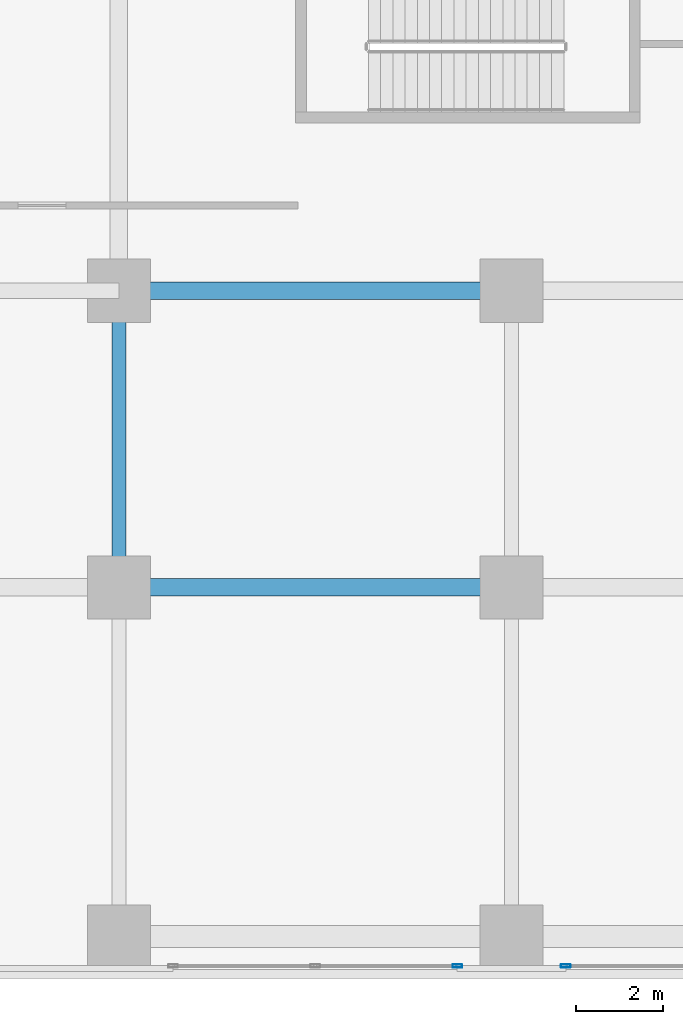
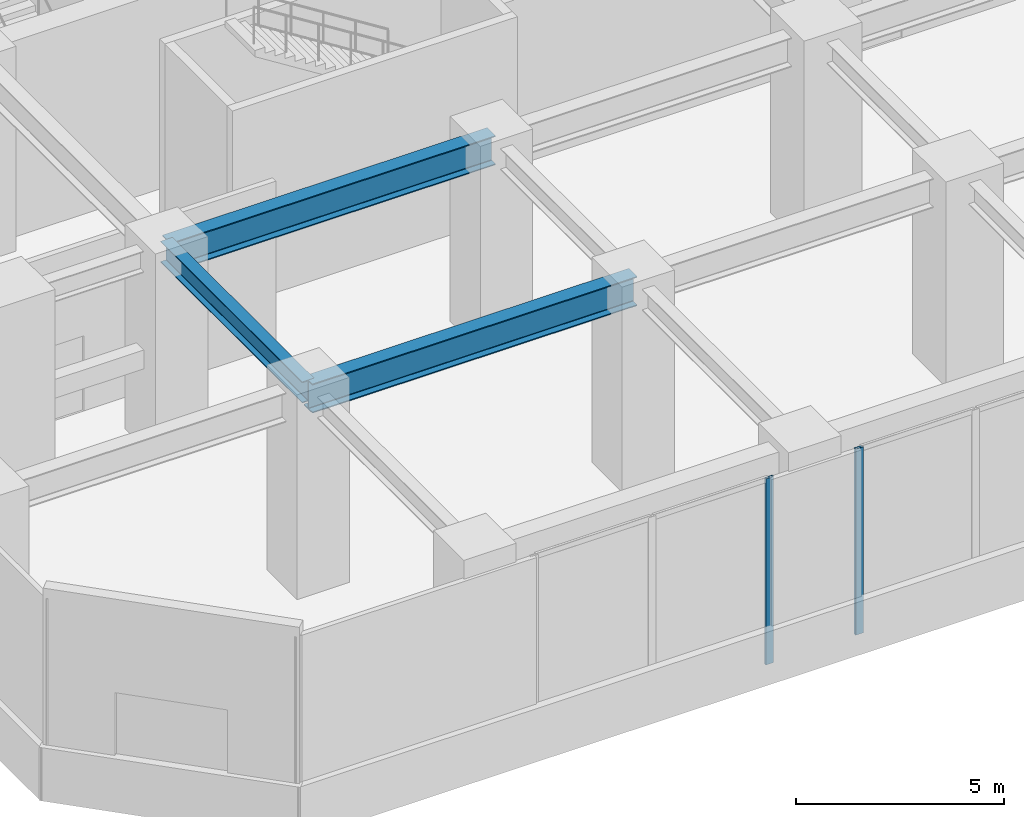
# One storey, part 4 of 34: 3 beams, 2 members, 2 elements without a shape of their own.
"""IFC4 building model written with IfcOpenShell, lengths in metres."""

from ifc_helpers import new_model, si_unit, direction, frame, origin, origin_2d, place, context, subcontext, project, spatial, hollow_rectangle, i_section, extrude, source, transform, mapped, material, material_profile, profile_set, type_object, element, aggregate, save


model = new_model("IFC4")

# Units and contexts
model_context = context("Model", 3, precision=1e-05, world=origin(), true_north=direction((0.0, 1.0)))
body_context = subcontext(model_context, "Body", "Model", "MODEL_VIEW")
ifc_project = project(units=[si_unit("LENGTHUNIT", "METRE"), si_unit("AREAUNIT", "SQUARE_METRE"), si_unit("VOLUMEUNIT", "CUBIC_METRE"), si_unit("PLANEANGLEUNIT", "RADIAN"), si_unit("MASSUNIT", "GRAM", prefix="KILO")], contexts=[model_context])

# Site, building, storey
site_placement = place(None, origin())
site = spatial("IfcSite", under=ifc_project, at=site_placement, CompositionType="ELEMENT")
building_placement = place(site_placement, origin())
building = spatial("IfcBuilding", under=site, at=building_placement, Name="Torre Montelarca", CompositionType="ELEMENT")
storey_placement = place(building_placement, frame((0.0, 0.0, 6.0)))
storey = spatial("IfcBuildingStorey", under=building, at=storey_placement, Name="L02", CompositionType="ELEMENT", Elevation=6.0)

# Beams
ifc_material_1 = material(Name="Steel ASTM A992 Grade 50", Category="steel")
ifc_material_profile_1 = material_profile(ifc_material_1, i_section(OverallWidth=0.39990234375, OverallDepth=0.85498046875, WebThickness=0.018310546875, FlangeThickness=0.029296875, FilletRadius=0.02001953125, at=origin_2d()), Name="W840X299", Category="steel")
ifc_profile_set_1 = profile_set([ifc_material_profile_1], Name="Steel ASTM A992 Grade 50")
beam_type_1 = type_object("IfcBeamType", Name="BM-G-W840", PredefinedType="BEAM", material=ifc_profile_set_1)
shared_shape_1 = source(origin(), body_context, "Body", "SweptSolid", [
    extrude(i_section(OverallWidth=0.39990234375, OverallDepth=0.85498046875, WebThickness=0.018310546875, FlangeThickness=0.029296875, FilletRadius=0.02001953125, at=origin_2d()), origin(), (0.0, 0.0, 1.0), 9.0),
])
for number, where, z_axis, x_axis, name in (
    (1, (9.0, 8.0, 5.31201171875), (1.0, 0.0, 0.0), (0.0, 1.0, 0.0), "L02 Grid Girder X 9.0-18.0 at Y=8.0"),
    (2, (9.0, 14.800048828125, 5.31201171875), (1.0, 0.0, 0.0), (0.0, 1.0, 0.0), "L02 Grid Girder X 9.0-18.0 at Y=14.8"),
):
    element("IfcBeam", number, at=place(storey_placement, frame(where, z_axis=z_axis, x_axis=x_axis)), inside=storey, type_object=beam_type_1, Name=name, PredefinedType="BEAM", context=body_context, shape_type="MappedRepresentation", body=[
        mapped(shared_shape_1, transform((0.0, 0.0, 0.0), scale=1.0)),
    ])
ifc_material_profile_2 = material_profile(ifc_material_1, i_section(OverallWidth=0.326904296875, OverallDepth=0.6220703125, WebThickness=0.015380859375, FlangeThickness=0.0244140625, FilletRadius=0.014892578125, at=origin_2d()), Name="W610X195", Category="steel")
ifc_profile_set_2 = profile_set([ifc_material_profile_2], Name="Steel ASTM A992 Grade 50")
beam_type_2 = type_object("IfcBeamType", Name="BM-G-W610H", PredefinedType="BEAM", material=ifc_profile_set_2)
shared_shape_2 = source(origin(), body_context, "Body", "SweptSolid", [
    extrude(i_section(OverallWidth=0.326904296875, OverallDepth=0.6220703125, WebThickness=0.015380859375, FlangeThickness=0.0244140625, FilletRadius=0.014892578125, at=origin_2d()), origin(), (0.0, 0.0, 1.0), 6.800048828125),
])
beam_placement = place(storey_placement, frame((9.0, 8.0, 5.428955078125), z_axis=(0.0, 1.0, 0.0), x_axis=(-1.0, 0.0, 0.0)))
element("IfcBeam", 3, at=beam_placement, inside=storey, type_object=beam_type_2, Name="L02 Grid Girder Y 8.0-14.8 at X=9.0", PredefinedType="BEAM", context=body_context, shape_type="MappedRepresentation", body=[
    mapped(shared_shape_2, transform((0.0, 0.0, 0.0), scale=1.0)),
])

# Curtain wall, member
ifc_material_2 = material(Name="Insulated low-E laminated glass", Category="glass")
curtain_wall_type = type_object("IfcCurtainWallType", Name="CW-SYS-POD2", PredefinedType="USERDEFINED", material=ifc_material_2)
curtain_wall_1_placement = place(storey_placement, origin())
curtain_wall_1 = element("IfcCurtainWall", 4, at=curtain_wall_1_placement, inside=storey, type_object=curtain_wall_type, Name="L02 Curtain Wall Run CW-T3-L02-E01-B1", ObjectType="UNITISED GLAZING", PredefinedType="USERDEFINED")
ifc_material_3 = material(Name="Anodised aluminium AA 6063-T6", Category="aluminium")
ifc_material_profile_3 = material_profile(ifc_material_3, hollow_rectangle(XDim=0.074951171875, YDim=0.219970703125, WallThickness=0.0048828125, InnerFilletRadius=0.0048828125, OuterFilletRadius=0.010009765625, at=origin_2d()), Name="ALU75X220X5", Category="aluminium")
ifc_profile_set_3 = profile_set([ifc_material_profile_3], Name="Anodised aluminium AA 6063-T6")
member_type = type_object("IfcMemberType", Name="CWM-ALU220", PredefinedType="MULLION", material=ifc_profile_set_3)
shared_shape_3 = source(origin(), body_context, "Body", "SweptSolid", [
    extrude(hollow_rectangle(XDim=0.074951171875, YDim=0.219970703125, WallThickness=0.0048828125, InnerFilletRadius=0.0048828125, OuterFilletRadius=0.010009765625, at=origin_2d()), origin(), (0.0, 0.0, 1.0), 5.449951171875),
])
member_1_placement = place(storey_placement, frame((16.757568359375, -0.679931640625, 0.0), z_axis=(0.0, 0.0, 1.0), x_axis=(0.0, 1.0, 0.0)))
member_1 = element("IfcMember", 5, at=member_1_placement, type_object=member_type, Name="CW mullion 3", PredefinedType="MULLION", context=body_context, shape_type="MappedRepresentation", body=[
    mapped(shared_shape_3, transform((0.0, 0.0, 0.0), scale=1.0)),
])
aggregate(curtain_wall_1, [member_1])

curtain_wall_2_placement = place(storey_placement, origin())
curtain_wall_2 = element("IfcCurtainWall", 6, at=curtain_wall_2_placement, inside=storey, type_object=curtain_wall_type, Name="L02 Curtain Wall Run CW-T3-L02-E01-B2", ObjectType="UNITISED GLAZING", PredefinedType="USERDEFINED")
member_2_placement = place(storey_placement, frame((19.242431640625, -0.679931640625, 0.0), z_axis=(0.0, 0.0, 1.0), x_axis=(0.0, 1.0, 0.0)))
member_2 = element("IfcMember", 7, at=member_2_placement, type_object=member_type, Name="CW mullion 1", PredefinedType="MULLION", context=body_context, shape_type="MappedRepresentation", body=[
    mapped(shared_shape_3, transform((0.0, 0.0, 0.0), scale=1.0)),
])
aggregate(curtain_wall_2, [member_2])

save(model, "model.ifc")
